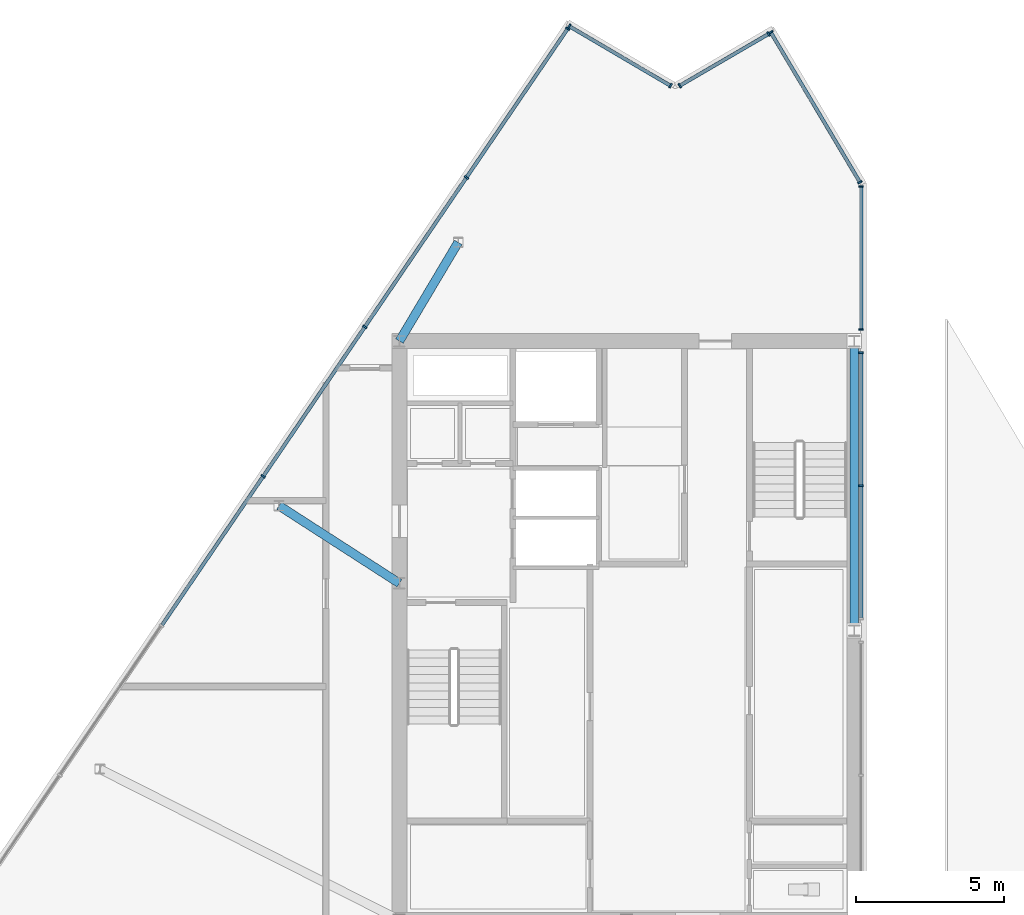
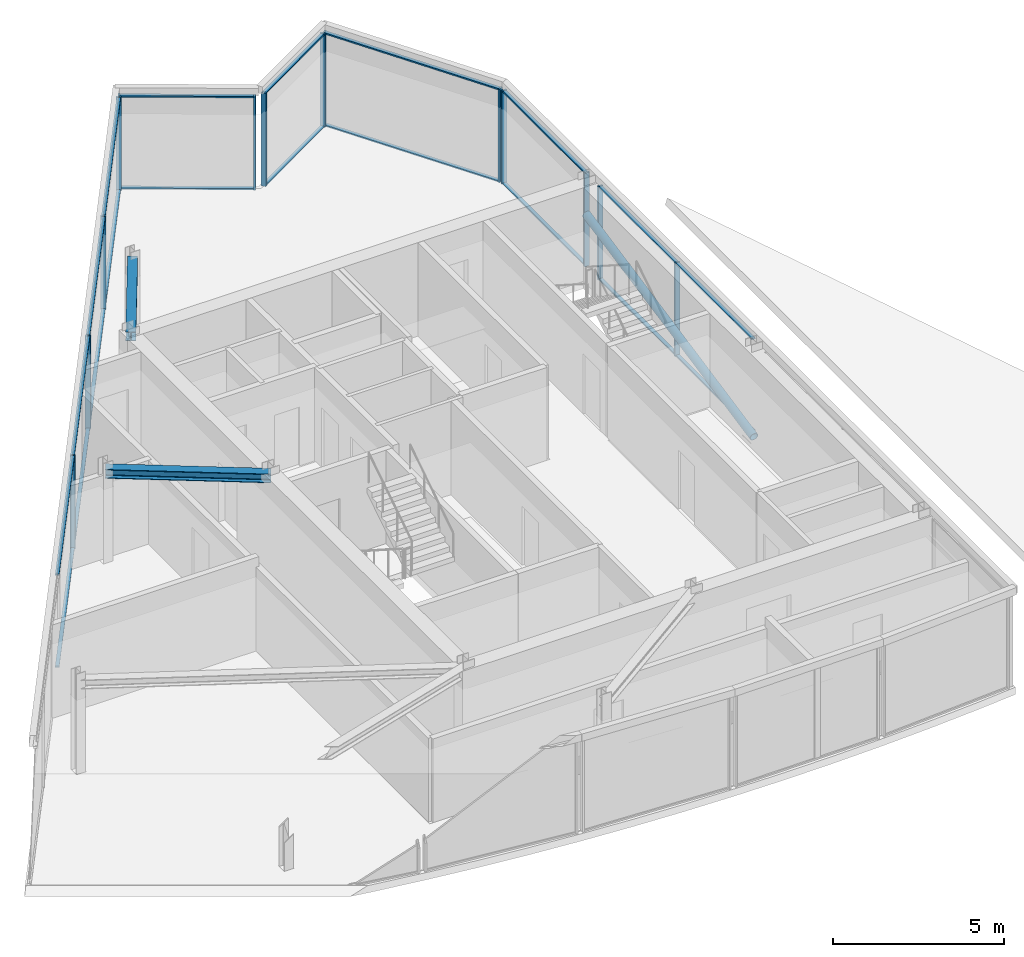
# One storey, part 3 of 10: 35 members, 2 beams, 6 elements without a shape of their own.
"""IFC4 building model written with IfcOpenShell, lengths in metres."""

import ifcopenshell
import ifcopenshell.guid

model = None  # the IFC model being written
_history = None  # IfcOwnerHistory: only IFC2X3 demands one
_inside = {}  # id of a spatial element -> (the spatial element, [elements in it])
_under = {}  # id of a project, library or spatial element -> (it, [spatial elements below it])
_declared = {}  # id of a project -> (the project, [libraries it declares])
_typed = {}  # id of a type object -> (the type object, [elements of that type])
_made_of = {}  # id of a material, layer set ... -> (it, [elements and type objects made of it])


def new_model(schema):
    """Start an empty IFC model of exactly this schema.

    Asked for "IFC4X3", IfcOpenShell would pick the latest addendum, in which some entities
    have other attributes; the version numbers below select the first issue.
    IFC2X3 requires an IfcOwnerHistory on every rooted entity: one is made here for all.
    """
    global model, _history
    if schema == "IFC4X3":
        model = ifcopenshell.file(schema_version=(4, 3, 0, 0))
    else:
        model = ifcopenshell.file(schema=schema)
    _inside.clear()
    _under.clear()
    _declared.clear()
    _typed.clear()
    _made_of.clear()
    _history = None
    if model.schema == "IFC2X3":
        org = make("IfcOrganization", Name="unknown")
        user = make(
            "IfcPersonAndOrganization",
            ThePerson=make("IfcPerson", FamilyName="unknown"),
            TheOrganization=org,
        )
        app = make(
            "IfcApplication",
            ApplicationDeveloper=org,
            Version="unknown",
            ApplicationFullName="unknown",
            ApplicationIdentifier="unknown",
        )
        _history = make(
            "IfcOwnerHistory",
            OwningUser=user,
            OwningApplication=app,
            ChangeAction="ADDED",
            CreationDate=0,
        )
    return model


def make(cls, **values):
    """One entity of the class cls with the attributes given. An attribute that is None is left unset."""
    return model.create_entity(
        cls, **{name: value for name, value in values.items() if value is not None}
    )


def rooted(cls, **values):
    """An entity with a GlobalId (a new one), such as an element, a storey or a relation."""
    return make(cls, GlobalId=ifcopenshell.guid.new(), OwnerHistory=_history, **values)


def si_unit(unit_type, name, prefix=None):
    """IfcSIUnit, for example si_unit("LENGTHUNIT", "METRE", prefix="MILLI")."""
    return make("IfcSIUnit", UnitType=unit_type, Prefix=prefix, Name=name)


def assignment(units):
    """IfcUnitAssignment: the units of a project."""
    return None if units is None else make("IfcUnitAssignment", Units=units)


def point(xyz):
    """IfcCartesianPoint."""
    return None if xyz is None else make("IfcCartesianPoint", Coordinates=xyz)


def direction(xyz):
    """IfcDirection."""
    return None if xyz is None else make("IfcDirection", DirectionRatios=xyz)


def frame(location, z_axis=None, x_axis=None):
    """IfcAxis2Placement3D, a coordinate frame: its origin and axes. An axis left out is left unset."""
    return make(
        "IfcAxis2Placement3D",
        Location=point(location),
        Axis=direction(z_axis),
        RefDirection=direction(x_axis),
    )


def frame_2d(location, x_axis=None):
    """IfcAxis2Placement2D, a coordinate frame in the plane: its origin and x axis."""
    return make(
        "IfcAxis2Placement2D", Location=point(location), RefDirection=direction(x_axis)
    )


def origin():
    """The frame at (0, 0, 0) with its axes left unset."""
    return frame((0.0, 0.0, 0.0))


def origin_2d():
    """The frame at (0, 0) in the plane with its x axis left unset."""
    return frame_2d((0.0, 0.0))


def place(relative_to, where):
    """IfcLocalPlacement: puts the frame where relative to a parent placement (None: the world)."""
    return make(
        "IfcLocalPlacement", PlacementRelTo=relative_to, RelativePlacement=where
    )


def context(
    kind, dimensions, precision=None, world=None, true_north=None, identifier=None
):
    """IfcGeometricRepresentationContext, for example the 3D "Model" context."""
    return make(
        "IfcGeometricRepresentationContext",
        ContextIdentifier=identifier,
        ContextType=kind,
        CoordinateSpaceDimension=dimensions,
        Precision=precision,
        WorldCoordinateSystem=world,
        TrueNorth=true_north,
    )


def subcontext(parent, identifier, kind, view, scale=None):
    """IfcGeometricRepresentationSubContext, for example "Body" below "Model"."""
    return make(
        "IfcGeometricRepresentationSubContext",
        ContextIdentifier=identifier,
        ContextType=kind,
        ParentContext=parent,
        TargetScale=scale,
        TargetView=view,
    )


def project(units=None, contexts=None):
    """IfcProject with its units and contexts."""
    return rooted(
        "IfcProject",
        Name="project",
        RepresentationContexts=contexts,
        UnitsInContext=assignment(units),
    )


def spatial(cls, under=None, at=None, **own):
    """A site, building, storey or space (cls), placed at a placement, below another one or the project."""
    s = rooted(cls, ObjectPlacement=at, **own)
    if under is not None:
        _under.setdefault(under.id(), (under, []))[1].append(s)
    return s


def profile(cls, at=None, kind="AREA", **sizes):
    """A parametric profile (cls). Its sizes go by their IFC names, for example OverallWidth=200.0."""
    return make(cls, ProfileType=kind, Position=at, **sizes)


def rectangle(**sizes):
    """IfcRectangleProfileDef."""
    return profile("IfcRectangleProfileDef", **sizes)


def hollow_circle(**sizes):
    """IfcCircleHollowProfileDef."""
    return profile("IfcCircleHollowProfileDef", **sizes)


def i_section(**sizes):
    """IfcIShapeProfileDef."""
    return profile("IfcIShapeProfileDef", **sizes)


def extrude(swept, where, along, depth):
    """IfcExtrudedAreaSolid: the profile swept, set in the frame where, extruded along a direction by depth."""
    return make(
        "IfcExtrudedAreaSolid",
        SweptArea=swept,
        Position=where,
        ExtrudedDirection=direction(along),
        Depth=depth,
    )


def shape(context_of_items, identifier, shape_type, items):
    """IfcShapeRepresentation: the items that make up one representation, for example the "Body"."""
    return make(
        "IfcShapeRepresentation",
        ContextOfItems=context_of_items,
        RepresentationIdentifier=identifier,
        RepresentationType=shape_type,
        Items=items,
    )


def material(Name=None, Category=None):
    """IfcMaterial."""
    return make("IfcMaterial", Name=Name, Category=Category)


def material_profile(
    of_material, cross_section, Name=None, Category=None, Priority=None
):
    """IfcMaterialProfile: a cross section and its material."""
    return make(
        "IfcMaterialProfile",
        Name=Name,
        Material=of_material,
        Profile=cross_section,
        Priority=Priority,
        Category=Category,
    )


def profile_set(profiles, Name=None, composite=None):
    """IfcMaterialProfileSet."""
    return make(
        "IfcMaterialProfileSet",
        Name=Name,
        MaterialProfiles=profiles,
        CompositeProfile=composite,
    )


def made_of(thing, what):
    """Note that an element or type object is made of a material, layer set ...; save() writes the relation."""
    if what is not None:
        _made_of.setdefault(what.id(), (what, []))[1].append(thing)
    return thing


def type_object(cls, material=None, **own):
    """A type object (cls), such as IfcWallType, which elements share."""
    return made_of(rooted(cls, **own), material)


def element(
    cls,
    number,
    at=None,
    inside=None,
    cuts=None,
    type_object=None,
    material=None,
    context=None,
    identifier="Body",
    shape_type=None,
    held_by="IfcProductDefinitionShape",
    body=None,
    shapes=None,
    **own,
):
    """One element of the class cls, such as IfcWall. Its Tag is "e" and its number.

    at: its placement. inside: the storey or other place that contains it. cuts: it is an
    opening in that element (IfcRelVoidsElement). A single representation is given by context,
    identifier, shape_type and body (its items); several are given by shapes. held_by: the class
    of the entity that holds the representations. save() writes the other relations.
    """
    e = rooted(cls, Tag="e%d" % number, ObjectPlacement=at, **own)
    if body is not None:
        shapes = [shape(context, identifier, shape_type, body)]
    if shapes is not None:
        e.Representation = make(held_by, Representations=shapes)
    if inside is not None:
        _inside.setdefault(inside.id(), (inside, []))[1].append(e)
    if cuts is not None:
        rooted(
            "IfcRelVoidsElement", RelatingBuildingElement=cuts, RelatedOpeningElement=e
        )
    if type_object is not None:
        _typed.setdefault(type_object.id(), (type_object, []))[1].append(e)
    return made_of(e, material)


def aggregate(whole, parts):
    """IfcRelAggregates: a whole, such as a stair, and the parts it consists of."""
    return rooted("IfcRelAggregates", RelatingObject=whole, RelatedObjects=parts)


def save(model, path):
    """Write the relations noted so far, then the file.

    IfcRelAggregates (storeys below a building ...), IfcRelContainedInSpatialStructure (elements
    in a storey), IfcRelDefinesByType, IfcRelAssociatesMaterial and IfcRelDeclares: one each for
    every whole, place, type object, material and project.
    """
    for whole, parts in _under.values():
        aggregate(whole, parts)
    for where, things in _inside.values():
        rooted(
            "IfcRelContainedInSpatialStructure",
            RelatedElements=things,
            RelatingStructure=where,
        )
    for kind, things in _typed.values():
        rooted("IfcRelDefinesByType", RelatedObjects=things, RelatingType=kind)
    for what, things in _made_of.values():
        rooted("IfcRelAssociatesMaterial", RelatedObjects=things, RelatingMaterial=what)
    for by, libraries in _declared.values():
        rooted("IfcRelDeclares", RelatingContext=by, RelatedDefinitions=libraries)
    model.write(path)


model = new_model("IFC4")

# Units and contexts
model_context = context("Model", 3, precision=1e-05, world=origin(), true_north=direction((0.0, 1.0)))
body_context = subcontext(model_context, "Body", "Model", "MODEL_VIEW")
ifc_project = project(units=[si_unit("LENGTHUNIT", "METRE"), si_unit("AREAUNIT", "SQUARE_METRE"), si_unit("VOLUMEUNIT", "CUBIC_METRE"), si_unit("PLANEANGLEUNIT", "RADIAN"), si_unit("MASSUNIT", "GRAM", prefix="KILO")], contexts=[model_context])

# Site, building, storey
site_placement = place(None, origin())
site = spatial("IfcSite", under=ifc_project, at=site_placement, CompositionType="ELEMENT")
building_placement = place(site_placement, origin())
building = spatial("IfcBuilding", under=site, at=building_placement, Name="Savorim Split Tower", CompositionType="ELEMENT")
storey_placement = place(building_placement, frame((0.0, 0.0, 315.60009765625)))
storey = spatial("IfcBuildingStorey", under=building, at=storey_placement, Name="Crown L84 Plant", CompositionType="ELEMENT", Elevation=315.60009765625)

# Beams
ifc_material_1 = material(Name="Steel S355", Category="steel")
ifc_material_profile_1 = material_profile(ifc_material_1, i_section(OverallWidth=0.300048828125, OverallDepth=0.320068359375, WebThickness=0.011474609375, FlangeThickness=0.0205078125, FilletRadius=0.027099609375, at=origin_2d()), Name="HEB 320")
ifc_profile_set_1 = profile_set([ifc_material_profile_1], Name="Steel S355")
beam_type = type_object("IfcBeamType", Name="BM-PRI-HEB320", PredefinedType="BEAM", material=ifc_profile_set_1)
beam_1_placement = place(storey_placement, frame((-11.775390625, 4.626708984375, 3.179931640625), z_axis=(0.840541482681, -0.541747188172, 0.0), x_axis=(0.541747188172, 0.840541482681, 0.0)))
element("IfcBeam", 1, at=beam_1_placement, inside=storey, type_object=beam_type, Name="Crown L84 Plant West Crown Beam WBG-4", PredefinedType="BEAM", context=body_context, shape_type="SweptSolid", body=[
    extrude(i_section(OverallWidth=0.300048828125, OverallDepth=0.320068359375, WebThickness=0.011474609375, FlangeThickness=0.0205078125, FilletRadius=0.027099609375, at=origin_2d()), origin(), (0.0, 0.0, 1.0), 4.8486328125),
])
beam_2_placement = place(storey_placement, frame((-5.710205078125, 13.542236328125, 3.179931640625), z_axis=(-0.511539031423, -0.85926004174, 0.0), x_axis=(0.85926004174, -0.511539031423, 0.0)))
element("IfcBeam", 2, at=beam_2_placement, inside=storey, type_object=beam_type, Name="Crown L84 Plant West Crown Beam WBG-5", PredefinedType="BEAM", context=body_context, shape_type="SweptSolid", body=[
    extrude(i_section(OverallWidth=0.300048828125, OverallDepth=0.320068359375, WebThickness=0.011474609375, FlangeThickness=0.0205078125, FilletRadius=0.027099609375, at=origin_2d()), origin(), (0.0, 0.0, 1.0), 3.8896484375),
])

# Curtain wall, members
ifc_material_2 = material(Name="Dark Ceramic-Fritted Insulated Glass", Category="glass")
curtain_wall_type = type_object("IfcCurtainWallType", Name="CW-CROWN-CREST", PredefinedType="NOTDEFINED", material=ifc_material_2)
curtain_wall_1_placement = place(storey_placement, origin())
curtain_wall_1 = element("IfcCurtainWall", 3, at=curtain_wall_1_placement, inside=storey, type_object=curtain_wall_type, Name="Crown L84 Plant Curtain Wall CW-Crown-L84-Plant-W1AS3", PredefinedType="NOTDEFINED")
ifc_material_3 = material(Name="Charcoal Anodised Aluminium", Category="aluminium")
ifc_material_profile_2 = material_profile(ifc_material_3, rectangle(XDim=0.159912109375, YDim=0.06005859375, at=origin_2d()), Name="ALU-M 160x60")
ifc_profile_set_2 = profile_set([ifc_material_profile_2], Name="Charcoal Anodised Aluminium")
member_type_1 = type_object("IfcMemberType", Name="CWM-160x60", PredefinedType="MULLION", material=ifc_profile_set_2)
member_1_placement = place(storey_placement, frame((7.929931640625, 5.300048828125, 0.0), z_axis=(0.0, 0.0, 1.0), x_axis=(-1.0, 0.0, 0.0)))
member_1 = element("IfcMember", 4, at=member_1_placement, type_object=member_type_1, Name="CW-07 mullion 2", PredefinedType="MULLION", context=body_context, shape_type="SweptSolid", body=[
    extrude(rectangle(XDim=0.159912109375, YDim=0.06005859375, at=origin_2d()), origin(), (0.0, 0.0, 1.0), 3.33984375),
])
member_2_placement = place(storey_placement, frame((7.929931640625, 9.803955078125, 0.0), z_axis=(0.0, 0.0, 1.0), x_axis=(-1.0, 0.0, 0.0)))
member_2 = element("IfcMember", 5, at=member_2_placement, type_object=member_type_1, Name="CW-07 mullion 3", PredefinedType="MULLION", context=body_context, shape_type="SweptSolid", body=[
    extrude(rectangle(XDim=0.159912109375, YDim=0.06005859375, at=origin_2d()), origin(), (0.0, 0.0, 1.0), 3.33984375),
])

curtain_wall_2_placement = place(storey_placement, origin())
curtain_wall_2 = element("IfcCurtainWall", 6, at=curtain_wall_2_placement, inside=storey, type_object=curtain_wall_type, Name="Crown L84 Plant Curtain Wall CW-Crown-L84-Plant-W1AS4", PredefinedType="NOTDEFINED")
member_3_placement = place(storey_placement, frame((7.929931640625, 10.595947265625, 0.0), z_axis=(0.0, 0.0, 1.0), x_axis=(-1.0, 0.0, 0.0)))
member_3 = element("IfcMember", 7, at=member_3_placement, type_object=member_type_1, Name="CW-07 mullion 1", PredefinedType="MULLION", context=body_context, shape_type="SweptSolid", body=[
    extrude(rectangle(XDim=0.159912109375, YDim=0.06005859375, at=origin_2d()), origin(), (0.0, 0.0, 1.0), 3.33984375),
])
member_4_placement = place(storey_placement, frame((7.929931640625, 15.435791015625, 0.0), z_axis=(0.0, 0.0, 1.0), x_axis=(-1.0, 0.0, 0.0)))
member_4 = element("IfcMember", 8, at=member_4_placement, type_object=member_type_1, Name="CW-07 mullion 2", PredefinedType="MULLION", context=body_context, shape_type="SweptSolid", body=[
    extrude(rectangle(XDim=0.159912109375, YDim=0.06005859375, at=origin_2d()), origin(), (0.0, 0.0, 1.0), 3.33984375),
])

curtain_wall_3_placement = place(storey_placement, origin())
curtain_wall_3 = element("IfcCurtainWall", 9, at=curtain_wall_3_placement, inside=storey, type_object=curtain_wall_type, Name="Crown L84 Plant Curtain Wall CW-Crown-L84-Plant-W2A", PredefinedType="NOTDEFINED")
member_5_placement = place(storey_placement, frame((7.890625, 15.5791015625, 0.0), z_axis=(0.0, 0.0, 1.0), x_axis=(-0.859521952707, -0.511098828813, 0.0)))
member_5 = element("IfcMember", 10, at=member_5_placement, type_object=member_type_1, Name="CW-07 mullion 1", PredefinedType="MULLION", context=body_context, shape_type="SweptSolid", body=[
    extrude(rectangle(XDim=0.159912109375, YDim=0.06005859375, at=origin_2d()), origin(), (0.0, 0.0, 1.0), 3.33984375),
])
member_6_placement = place(storey_placement, frame((4.873046875, 20.65380859375, 0.0), z_axis=(0.0, 0.0, 1.0), x_axis=(-0.859521952707, -0.511098828813, 0.0)))
member_6 = element("IfcMember", 11, at=member_6_placement, type_object=member_type_1, Name="CW-07 mullion 2", PredefinedType="MULLION", context=body_context, shape_type="SweptSolid", body=[
    extrude(rectangle(XDim=0.159912109375, YDim=0.06005859375, at=origin_2d()), origin(), (0.0, 0.0, 1.0), 3.33984375),
])

curtain_wall_4_placement = place(storey_placement, origin())
curtain_wall_4 = element("IfcCurtainWall", 12, at=curtain_wall_4_placement, inside=storey, type_object=curtain_wall_type, Name="Crown L84 Plant Curtain Wall CW-Crown-L84-Plant-W3A", PredefinedType="NOTDEFINED")
member_7_placement = place(storey_placement, frame((4.794677734375, 20.59765625, 0.0), z_axis=(0.0, 0.0, 1.0), x_axis=(0.503519556356, -0.863983828765, 0.0)))
member_7 = element("IfcMember", 13, at=member_7_placement, type_object=member_type_1, Name="CW-07 mullion 1", PredefinedType="MULLION", context=body_context, shape_type="SweptSolid", body=[
    extrude(rectangle(XDim=0.159912109375, YDim=0.06005859375, at=origin_2d()), origin(), (0.0, 0.0, 1.0), 3.33984375),
])
member_8_placement = place(storey_placement, frame((1.789306640625, 18.84619140625, 0.0), z_axis=(0.0, 0.0, 1.0), x_axis=(0.503519556356, -0.863983828765, 0.0)))
member_8 = element("IfcMember", 14, at=member_8_placement, type_object=member_type_1, Name="CW-07 mullion 2", PredefinedType="MULLION", context=body_context, shape_type="SweptSolid", body=[
    extrude(rectangle(XDim=0.159912109375, YDim=0.06005859375, at=origin_2d()), origin(), (0.0, 0.0, 1.0), 3.33984375),
])

curtain_wall_5_placement = place(storey_placement, origin())
curtain_wall_5 = element("IfcCurtainWall", 15, at=curtain_wall_5_placement, inside=storey, type_object=curtain_wall_type, Name="Crown L84 Plant Curtain Wall CW-Crown-L84-Plant-W4A", PredefinedType="NOTDEFINED")
member_9_placement = place(storey_placement, frame((1.478271484375, 18.8466796875, 0.0), z_axis=(0.0, 0.0, 1.0), x_axis=(-0.506703813346, -0.86212020365, 0.0)))
member_9 = element("IfcMember", 16, at=member_9_placement, type_object=member_type_1, Name="CW-07 mullion 1", PredefinedType="MULLION", context=body_context, shape_type="SweptSolid", body=[
    extrude(rectangle(XDim=0.159912109375, YDim=0.06005859375, at=origin_2d()), origin(), (0.0, 0.0, 1.0), 3.33984375),
])
member_10_placement = place(storey_placement, frame((-1.9482421875, 20.860595703125, 0.0), z_axis=(0.0, 0.0, 1.0), x_axis=(-0.506703813346, -0.86212020365, 0.0)))
member_10 = element("IfcMember", 17, at=member_10_placement, type_object=member_type_1, Name="CW-07 mullion 2", PredefinedType="MULLION", context=body_context, shape_type="SweptSolid", body=[
    extrude(rectangle(XDim=0.159912109375, YDim=0.06005859375, at=origin_2d()), origin(), (0.0, 0.0, 1.0), 3.33984375),
])

curtain_wall_6_placement = place(storey_placement, origin())
curtain_wall_6 = element("IfcCurtainWall", 18, at=curtain_wall_6_placement, inside=storey, type_object=curtain_wall_type, Name="Crown L84 Plant Curtain Wall CW-Crown-L84-Plant-W5A", PredefinedType="NOTDEFINED")
member_11_placement = place(storey_placement, frame((-2.004150390625, 20.774658203125, 0.0), z_axis=(0.0, 0.0, 1.0), x_axis=(0.826820045054, -0.56246654398, 0.0)))
member_11 = element("IfcMember", 19, at=member_11_placement, type_object=member_type_1, Name="CW-07 mullion 1", PredefinedType="MULLION", context=body_context, shape_type="SweptSolid", body=[
    extrude(rectangle(XDim=0.159912109375, YDim=0.06005859375, at=origin_2d()), origin(), (0.0, 0.0, 1.0), 3.33984375),
])
member_12_placement = place(storey_placement, frame((-5.428955078125, 15.740478515625, 0.0), z_axis=(0.0, 0.0, 1.0), x_axis=(0.826820045054, -0.56246654398, 0.0)))
member_12 = element("IfcMember", 20, at=member_12_placement, type_object=member_type_1, Name="CW-07 mullion 2", PredefinedType="MULLION", context=body_context, shape_type="SweptSolid", body=[
    extrude(rectangle(XDim=0.159912109375, YDim=0.06005859375, at=origin_2d()), origin(), (0.0, 0.0, 1.0), 3.33984375),
])
member_13_placement = place(storey_placement, frame((-8.87060546875, 10.68115234375, 0.0), z_axis=(0.0, 0.0, 1.0), x_axis=(0.826820045054, -0.56246654398, 0.0)))
member_13 = element("IfcMember", 21, at=member_13_placement, type_object=member_type_1, Name="CW-07 mullion 3", PredefinedType="MULLION", context=body_context, shape_type="SweptSolid", body=[
    extrude(rectangle(XDim=0.159912109375, YDim=0.06005859375, at=origin_2d()), origin(), (0.0, 0.0, 1.0), 3.33984375),
])
member_14_placement = place(storey_placement, frame((-12.31201171875, 5.6220703125, 0.0), z_axis=(0.0, 0.0, 1.0), x_axis=(0.826820045054, -0.56246654398, 0.0)))
member_14 = element("IfcMember", 22, at=member_14_placement, type_object=member_type_1, Name="CW-07 mullion 4", PredefinedType="MULLION", context=body_context, shape_type="SweptSolid", body=[
    extrude(rectangle(XDim=0.159912109375, YDim=0.06005859375, at=origin_2d()), origin(), (0.0, 0.0, 1.0), 3.33984375),
])

# Member
ifc_material_profile_3 = material_profile(ifc_material_3, rectangle(XDim=0.1201171875, YDim=0.050048828125, at=origin_2d()), Name="ALU-T 120x50")
ifc_profile_set_3 = profile_set([ifc_material_profile_3], Name="Charcoal Anodised Aluminium")
member_type_2 = type_object("IfcMemberType", Name="CWT-120x50", PredefinedType="USERDEFINED", material=ifc_profile_set_3)
member_15_placement = place(storey_placement, frame((7.929931640625, 0.825927734375, 0.02490234375), z_axis=(0.0, 1.0, 0.0), x_axis=(-1.0, 0.0, 0.0)))
member_15 = element("IfcMember", 23, at=member_15_placement, type_object=member_type_2, Name="CW-07 transom 1.1", ObjectType="TRANSOM", PredefinedType="USERDEFINED", context=body_context, shape_type="SweptSolid", body=[
    extrude(rectangle(XDim=0.1201171875, YDim=0.050048828125, at=origin_2d()), origin(), (0.0, 0.0, 1.0), 4.444091796875),
])

member_16_placement = place(storey_placement, frame((7.929931640625, 0.825927734375, 3.31494140625), z_axis=(0.0, 1.0, 0.0), x_axis=(-1.0, 0.0, 0.0)))
member_16 = element("IfcMember", 24, at=member_16_placement, type_object=member_type_2, Name="CW-07 transom 1.2", ObjectType="TRANSOM", PredefinedType="USERDEFINED", context=body_context, shape_type="SweptSolid", body=[
    extrude(rectangle(XDim=0.1201171875, YDim=0.050048828125, at=origin_2d()), origin(), (0.0, 0.0, 1.0), 4.444091796875),
])

member_17_placement = place(storey_placement, frame((7.929931640625, 5.330078125, 0.02490234375), z_axis=(0.0, 1.0, 0.0), x_axis=(-1.0, 0.0, 0.0)))
member_17 = element("IfcMember", 25, at=member_17_placement, type_object=member_type_2, Name="CW-07 transom 2.1", ObjectType="TRANSOM", PredefinedType="USERDEFINED", context=body_context, shape_type="SweptSolid", body=[
    extrude(rectangle(XDim=0.1201171875, YDim=0.050048828125, at=origin_2d()), origin(), (0.0, 0.0, 1.0), 4.44384765625),
])

member_18_placement = place(storey_placement, frame((7.929931640625, 5.330078125, 3.31494140625), z_axis=(0.0, 1.0, 0.0), x_axis=(-1.0, 0.0, 0.0)))
member_18 = element("IfcMember", 26, at=member_18_placement, type_object=member_type_2, Name="CW-07 transom 2.2", ObjectType="TRANSOM", PredefinedType="USERDEFINED", context=body_context, shape_type="SweptSolid", body=[
    extrude(rectangle(XDim=0.1201171875, YDim=0.050048828125, at=origin_2d()), origin(), (0.0, 0.0, 1.0), 4.44384765625),
])

aggregate(curtain_wall_1, [member_1, member_2, member_15, member_16, member_17, member_18])

member_19_placement = place(storey_placement, frame((7.929931640625, 10.6259765625, 0.02490234375), z_axis=(0.0, 1.0, 0.0), x_axis=(-1.0, 0.0, 0.0)))
member_19 = element("IfcMember", 27, at=member_19_placement, type_object=member_type_2, Name="CW-07 transom 1.1", ObjectType="TRANSOM", PredefinedType="USERDEFINED", context=body_context, shape_type="SweptSolid", body=[
    extrude(rectangle(XDim=0.1201171875, YDim=0.050048828125, at=origin_2d()), origin(), (0.0, 0.0, 1.0), 4.780029296875),
])

member_20_placement = place(storey_placement, frame((7.929931640625, 10.6259765625, 3.31494140625), z_axis=(0.0, 1.0, 0.0), x_axis=(-1.0, 0.0, 0.0)))
member_20 = element("IfcMember", 28, at=member_20_placement, type_object=member_type_2, Name="CW-07 transom 1.2", ObjectType="TRANSOM", PredefinedType="USERDEFINED", context=body_context, shape_type="SweptSolid", body=[
    extrude(rectangle(XDim=0.1201171875, YDim=0.050048828125, at=origin_2d()), origin(), (0.0, 0.0, 1.0), 4.780029296875),
])

aggregate(curtain_wall_2, [member_3, member_4, member_19, member_20])

member_21_placement = place(storey_placement, frame((7.875244140625, 15.60498046875, 0.02490234375), z_axis=(-0.511100418308, 0.859521007542, 0.0), x_axis=(-0.859521007542, -0.511100418308, 0.0)))
member_21 = element("IfcMember", 29, at=member_21_placement, type_object=member_type_2, Name="CW-07 transom 1.1", ObjectType="TRANSOM", PredefinedType="USERDEFINED", context=body_context, shape_type="SweptSolid", body=[
    extrude(rectangle(XDim=0.1201171875, YDim=0.050048828125, at=origin_2d()), origin(), (0.0, 0.0, 1.0), 5.843994140625),
])

member_22_placement = place(storey_placement, frame((7.875244140625, 15.60498046875, 3.31494140625), z_axis=(-0.511100418308, 0.859521007542, 0.0), x_axis=(-0.859521007542, -0.511100418308, 0.0)))
member_22 = element("IfcMember", 30, at=member_22_placement, type_object=member_type_2, Name="CW-07 transom 1.2", ObjectType="TRANSOM", PredefinedType="USERDEFINED", context=body_context, shape_type="SweptSolid", body=[
    extrude(rectangle(XDim=0.1201171875, YDim=0.050048828125, at=origin_2d()), origin(), (0.0, 0.0, 1.0), 5.843994140625),
])

aggregate(curtain_wall_3, [member_5, member_6, member_21, member_22])

member_23_placement = place(storey_placement, frame((4.768798828125, 20.58251953125, 0.02490234375), z_axis=(-0.863983472037, -0.50352016846, 0.0), x_axis=(0.50352016846, -0.863983472037, 0.0)))
member_23 = element("IfcMember", 31, at=member_23_placement, type_object=member_type_2, Name="CW-07 transom 1.1", ObjectType="TRANSOM", PredefinedType="USERDEFINED", context=body_context, shape_type="SweptSolid", body=[
    extrude(rectangle(XDim=0.1201171875, YDim=0.050048828125, at=origin_2d()), origin(), (0.0, 0.0, 1.0), 3.418212890625),
])

member_24_placement = place(storey_placement, frame((4.768798828125, 20.58251953125, 3.31494140625), z_axis=(-0.863983472037, -0.50352016846, 0.0), x_axis=(0.50352016846, -0.863983472037, 0.0)))
member_24 = element("IfcMember", 32, at=member_24_placement, type_object=member_type_2, Name="CW-07 transom 1.2", ObjectType="TRANSOM", PredefinedType="USERDEFINED", context=body_context, shape_type="SweptSolid", body=[
    extrude(rectangle(XDim=0.1201171875, YDim=0.050048828125, at=origin_2d()), origin(), (0.0, 0.0, 1.0), 3.418212890625),
])

aggregate(curtain_wall_4, [member_7, member_8, member_23, member_24])

member_25_placement = place(storey_placement, frame((1.452392578125, 18.86181640625, 0.02490234375), z_axis=(-0.862102511127, 0.506733914701, 0.0), x_axis=(-0.506733914701, -0.862102511127, 0.0)))
member_25 = element("IfcMember", 33, at=member_25_placement, type_object=member_type_2, Name="CW-07 transom 1.1", ObjectType="TRANSOM", PredefinedType="USERDEFINED", context=body_context, shape_type="SweptSolid", body=[
    extrude(rectangle(XDim=0.1201171875, YDim=0.050048828125, at=origin_2d()), origin(), (0.0, 0.0, 1.0), 3.91455078125),
])

member_26_placement = place(storey_placement, frame((1.452392578125, 18.86181640625, 3.31494140625), z_axis=(-0.862102511127, 0.506733914701, 0.0), x_axis=(-0.506733914701, -0.862102511127, 0.0)))
member_26 = element("IfcMember", 34, at=member_26_placement, type_object=member_type_2, Name="CW-07 transom 1.2", ObjectType="TRANSOM", PredefinedType="USERDEFINED", context=body_context, shape_type="SweptSolid", body=[
    extrude(rectangle(XDim=0.1201171875, YDim=0.050048828125, at=origin_2d()), origin(), (0.0, 0.0, 1.0), 3.91455078125),
])

aggregate(curtain_wall_5, [member_9, member_10, member_25, member_26])

member_27_placement = place(storey_placement, frame((-2.02099609375, 20.75, 0.02490234375), z_axis=(-0.56246950814, -0.826818028597, 0.0), x_axis=(0.826818028597, -0.56246950814, 0.0)))
member_27 = element("IfcMember", 35, at=member_27_placement, type_object=member_type_2, Name="CW-07 transom 1.1", ObjectType="TRANSOM", PredefinedType="USERDEFINED", context=body_context, shape_type="SweptSolid", body=[
    extrude(rectangle(XDim=0.1201171875, YDim=0.050048828125, at=origin_2d()), origin(), (0.0, 0.0, 1.0), 6.029052734375),
])

member_28_placement = place(storey_placement, frame((-2.02099609375, 20.75, 3.31494140625), z_axis=(-0.56246950814, -0.826818028597, 0.0), x_axis=(0.826818028597, -0.56246950814, 0.0)))
member_28 = element("IfcMember", 36, at=member_28_placement, type_object=member_type_2, Name="CW-07 transom 1.2", ObjectType="TRANSOM", PredefinedType="USERDEFINED", context=body_context, shape_type="SweptSolid", body=[
    extrude(rectangle(XDim=0.1201171875, YDim=0.050048828125, at=origin_2d()), origin(), (0.0, 0.0, 1.0), 6.029052734375),
])

member_29_placement = place(storey_placement, frame((-5.44580078125, 15.715576171875, 0.02490234375), z_axis=(-0.562449990858, -0.826831305518, 0.0), x_axis=(0.826831305518, -0.562449990858, 0.0)))
member_29 = element("IfcMember", 37, at=member_29_placement, type_object=member_type_2, Name="CW-07 transom 2.1", ObjectType="TRANSOM", PredefinedType="USERDEFINED", context=body_context, shape_type="SweptSolid", body=[
    extrude(rectangle(XDim=0.1201171875, YDim=0.050048828125, at=origin_2d()), origin(), (0.0, 0.0, 1.0), 6.05859375),
])

member_30_placement = place(storey_placement, frame((-5.44580078125, 15.715576171875, 3.31494140625), z_axis=(-0.562449990858, -0.826831305518, 0.0), x_axis=(0.826831305518, -0.562449990858, 0.0)))
member_30 = element("IfcMember", 38, at=member_30_placement, type_object=member_type_2, Name="CW-07 transom 2.2", ObjectType="TRANSOM", PredefinedType="USERDEFINED", context=body_context, shape_type="SweptSolid", body=[
    extrude(rectangle(XDim=0.1201171875, YDim=0.050048828125, at=origin_2d()), origin(), (0.0, 0.0, 1.0), 6.05859375),
])

member_31_placement = place(storey_placement, frame((-8.887451171875, 10.656494140625, 0.02490234375), z_axis=(-0.562449990858, -0.826831305518, 0.0), x_axis=(0.826831305518, -0.562449990858, 0.0)))
member_31 = element("IfcMember", 39, at=member_31_placement, type_object=member_type_2, Name="CW-07 transom 3.1", ObjectType="TRANSOM", PredefinedType="USERDEFINED", context=body_context, shape_type="SweptSolid", body=[
    extrude(rectangle(XDim=0.1201171875, YDim=0.050048828125, at=origin_2d()), origin(), (0.0, 0.0, 1.0), 6.05859375),
])

member_32_placement = place(storey_placement, frame((-8.887451171875, 10.656494140625, 3.31494140625), z_axis=(-0.562449990858, -0.826831305518, 0.0), x_axis=(0.826831305518, -0.562449990858, 0.0)))
member_32 = element("IfcMember", 40, at=member_32_placement, type_object=member_type_2, Name="CW-07 transom 3.2", ObjectType="TRANSOM", PredefinedType="USERDEFINED", context=body_context, shape_type="SweptSolid", body=[
    extrude(rectangle(XDim=0.1201171875, YDim=0.050048828125, at=origin_2d()), origin(), (0.0, 0.0, 1.0), 6.05859375),
])

member_33_placement = place(storey_placement, frame((-12.328857421875, 5.597412109375, 0.02490234375), z_axis=(-0.562477538205, -0.82681256583, 0.0), x_axis=(0.82681256583, -0.562477538205, 0.0)))
member_33 = element("IfcMember", 41, at=member_33_placement, type_object=member_type_2, Name="CW-07 transom 4.1", ObjectType="TRANSOM", PredefinedType="USERDEFINED", context=body_context, shape_type="SweptSolid", body=[
    extrude(rectangle(XDim=0.1201171875, YDim=0.050048828125, at=origin_2d()), origin(), (0.0, 0.0, 1.0), 6.058837890625),
])

member_34_placement = place(storey_placement, frame((-12.328857421875, 5.597412109375, 3.31494140625), z_axis=(-0.562477538205, -0.82681256583, 0.0), x_axis=(0.82681256583, -0.562477538205, 0.0)))
member_34 = element("IfcMember", 42, at=member_34_placement, type_object=member_type_2, Name="CW-07 transom 4.2", ObjectType="TRANSOM", PredefinedType="USERDEFINED", context=body_context, shape_type="SweptSolid", body=[
    extrude(rectangle(XDim=0.1201171875, YDim=0.050048828125, at=origin_2d()), origin(), (0.0, 0.0, 1.0), 6.058837890625),
])

aggregate(curtain_wall_6, [member_11, member_12, member_13, member_14, member_27, member_28, member_29, member_30, member_31, member_32, member_33, member_34])

ifc_material_profile_4 = material_profile(ifc_material_1, hollow_circle(Radius=0.136474609375, WallThickness=0.01611328125, at=origin_2d()), Name="CHS 273x16")
ifc_profile_set_4 = profile_set([ifc_material_profile_4], Name="Steel S355")
member_type_3 = type_object("IfcMemberType", Name="MBR-CRN-CHS273", PredefinedType="BRACE", material=ifc_profile_set_4)
member_35_placement = place(storey_placement, frame((7.699951171875, 0.39990234375, 0.14990234375), z_axis=(0.0, 0.979804253974, 0.199959055543), x_axis=(-1.0, 0.0, 0.0)))
element("IfcMember", 43, at=member_35_placement, inside=storey, type_object=member_type_3, Name="Crown L84 Plant Split Crown Spine Brace 1", PredefinedType="BRACE", context=body_context, shape_type="SweptSolid", body=[
    extrude(hollow_circle(Radius=0.136474609375, WallThickness=0.01611328125, at=origin_2d()), origin(), (0.0, 0.0, 1.0), 10.001953125),
])

save(model, "model.ifc")
